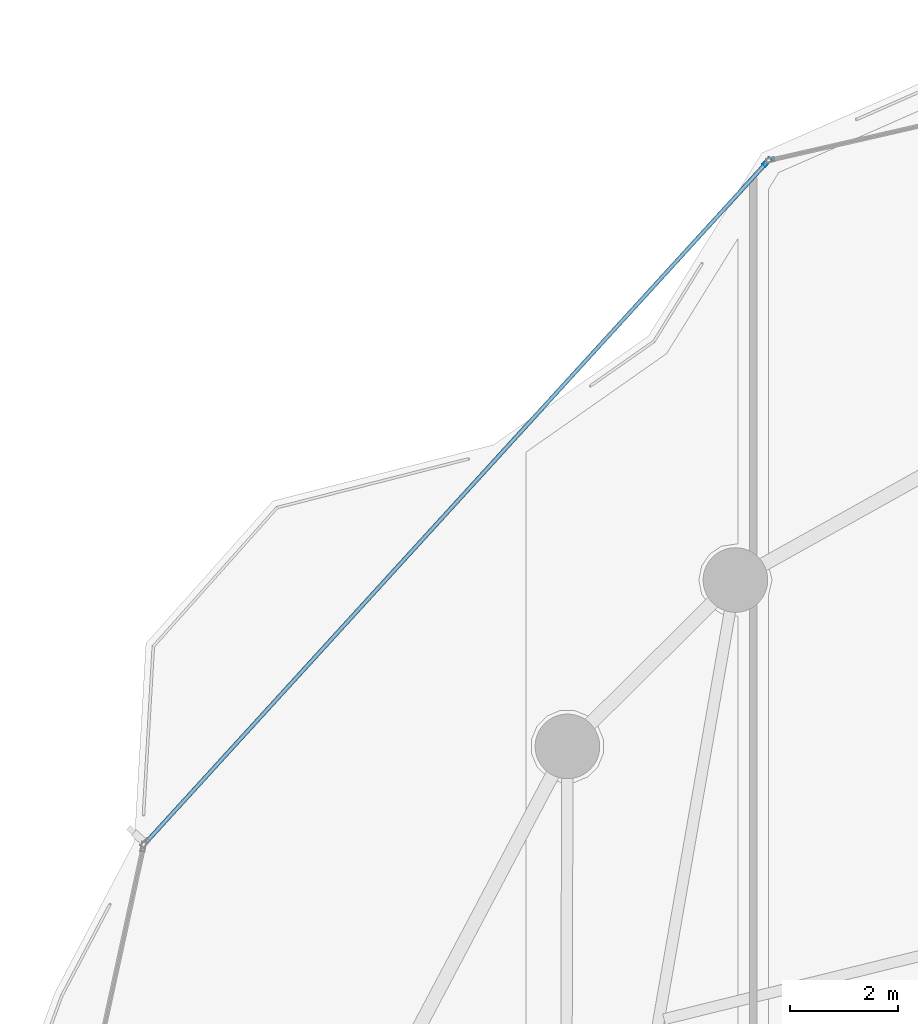
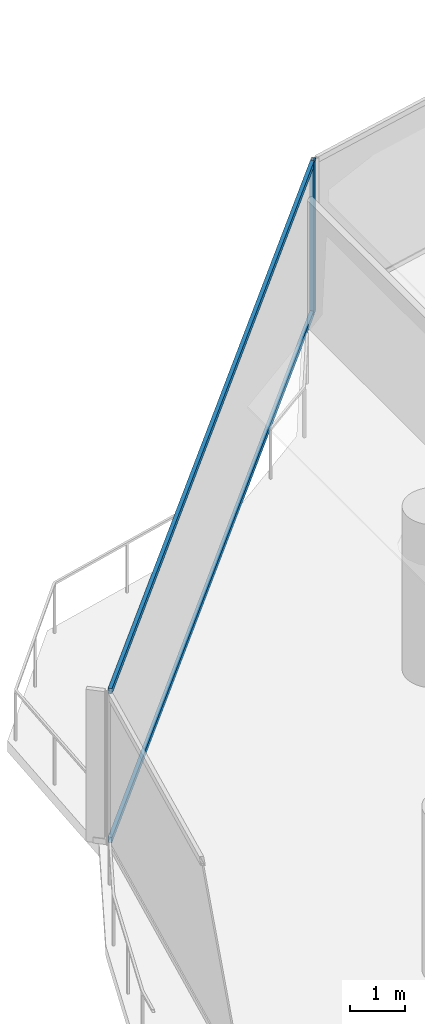
# One storey, part 18 of 34: 3 members, 1 element without a shape of its own.
"""IFC4 building model written with IfcOpenShell, lengths in metres."""

from ifc_helpers import new_model, si_unit, direction, frame, origin, origin_2d, place, context, subcontext, project, spatial, hollow_rectangle, extrude, material, layer, layer_set, material_profile, profile_set, type_object, element, aggregate, save


model = new_model("IFC4")

# Units and contexts
model_context = context("Model", 3, precision=1e-05, world=origin(), true_north=direction((0.0, 1.0)))
body_context = subcontext(model_context, "Body", "Model", "MODEL_VIEW")
ifc_project = project(units=[si_unit("LENGTHUNIT", "METRE"), si_unit("AREAUNIT", "SQUARE_METRE"), si_unit("VOLUMEUNIT", "CUBIC_METRE"), si_unit("PLANEANGLEUNIT", "RADIAN"), si_unit("MASSUNIT", "GRAM", prefix="KILO")], contexts=[model_context])

# Site, building, storey
site_placement = place(None, origin())
site = spatial("IfcSite", under=ifc_project, at=site_placement, CompositionType="ELEMENT")
building_placement = place(site_placement, origin())
building = spatial("IfcBuilding", under=site, at=building_placement, Name="Kazevale Care Tower and Concert Hall", CompositionType="ELEMENT")
storey_placement = place(building_placement, frame((0.0, 0.0, 174.60009765625)))
storey = spatial("IfcBuildingStorey", under=building, at=storey_placement, Name="L46", CompositionType="ELEMENT", Elevation=174.60009765625)

# Curtain wall, members
ifc_material_1 = material(Name="Aluminium 6063-T6 and Low-E Glass", Category="aluminium")
ifc_layer = layer(ifc_material_1, 0.179931640625)
ifc_layer_set = layer_set([ifc_layer], Name="Aluminium 6063-T6 and Low-E Glass")
curtain_wall_type = type_object("IfcCurtainWallType", Name="Convex Checkerboard Finned Curtain Wall CW-2", PredefinedType="NOTDEFINED", material=ifc_layer_set)
curtain_wall_placement = place(storey_placement, origin())
curtain_wall = element("IfcCurtainWall", 1, at=curtain_wall_placement, inside=storey, type_object=curtain_wall_type, Name="cw:L46:f14", PredefinedType="NOTDEFINED")
ifc_material_2 = material(Name="Aluminium 6063-T6", Category="aluminium")
ifc_material_profile_1 = material_profile(ifc_material_2, hollow_rectangle(XDim=0.080078125, YDim=0.179931640625, WallThickness=0.0048828125, at=origin_2d()), Name="ALU80x180x5")
ifc_profile_set_1 = profile_set([ifc_material_profile_1], Name="Aluminium 6063-T6")
member_type_1 = type_object("IfcMemberType", Name="CW-2 Mullion ALU80x180x5", PredefinedType="MULLION", material=ifc_profile_set_1)
member_1_placement = place(storey_placement, frame((25.757080078125, 62.340576171875, 0.0), z_axis=(0.0, 0.0, 1.0), x_axis=(-0.738491785899, 0.674262472751, 0.0)))
member_1 = element("IfcMember", 2, at=member_1_placement, type_object=member_type_1, Name="CW-2 mullion 2", PredefinedType="MULLION", context=body_context, shape_type="SweptSolid", body=[
    extrude(hollow_rectangle(XDim=0.080078125, YDim=0.179931640625, WallThickness=0.0048828125, at=origin_2d()), origin(), (0.0, 0.0, 1.0), 3.35986328125),
])
ifc_material_profile_2 = material_profile(ifc_material_2, hollow_rectangle(XDim=0.074951171875, YDim=0.1201171875, WallThickness=0.00390625, at=origin_2d()), Name="ALU75x120x4")
ifc_profile_set_2 = profile_set([ifc_material_profile_2], Name="Aluminium 6063-T6")
member_type_2 = type_object("IfcMemberType", Name="CW-2 Transom ALU75x120x4", PredefinedType="USERDEFINED", material=ifc_profile_set_2)
member_2_placement = place(storey_placement, frame((14.238037109375, 49.72412109375, 0.037353515625), z_axis=(0.674254759105, 0.738498828587, 0.0), x_axis=(-0.738498828587, 0.674254759105, 0.0)))
member_2 = element("IfcMember", 3, at=member_2_placement, type_object=member_type_2, Name="CW-2 transom 1.1", ObjectType="TRANSOM", PredefinedType="USERDEFINED", context=body_context, shape_type="SweptSolid", body=[
    extrude(hollow_rectangle(XDim=0.074951171875, YDim=0.1201171875, WallThickness=0.00390625, at=origin_2d()), origin(), (0.0, 0.0, 1.0), 17.0439453125),
])
member_3_placement = place(storey_placement, frame((14.238037109375, 49.72412109375, 3.322509765625), z_axis=(0.674254759105, 0.738498828587, 0.0), x_axis=(-0.738498828587, 0.674254759105, 0.0)))
member_3 = element("IfcMember", 4, at=member_3_placement, type_object=member_type_2, Name="CW-2 transom 1.2", ObjectType="TRANSOM", PredefinedType="USERDEFINED", context=body_context, shape_type="SweptSolid", body=[
    extrude(hollow_rectangle(XDim=0.074951171875, YDim=0.1201171875, WallThickness=0.00390625, at=origin_2d()), origin(), (0.0, 0.0, 1.0), 17.0439453125),
])
aggregate(curtain_wall, [member_1, member_2, member_3])

save(model, "model.ifc")
